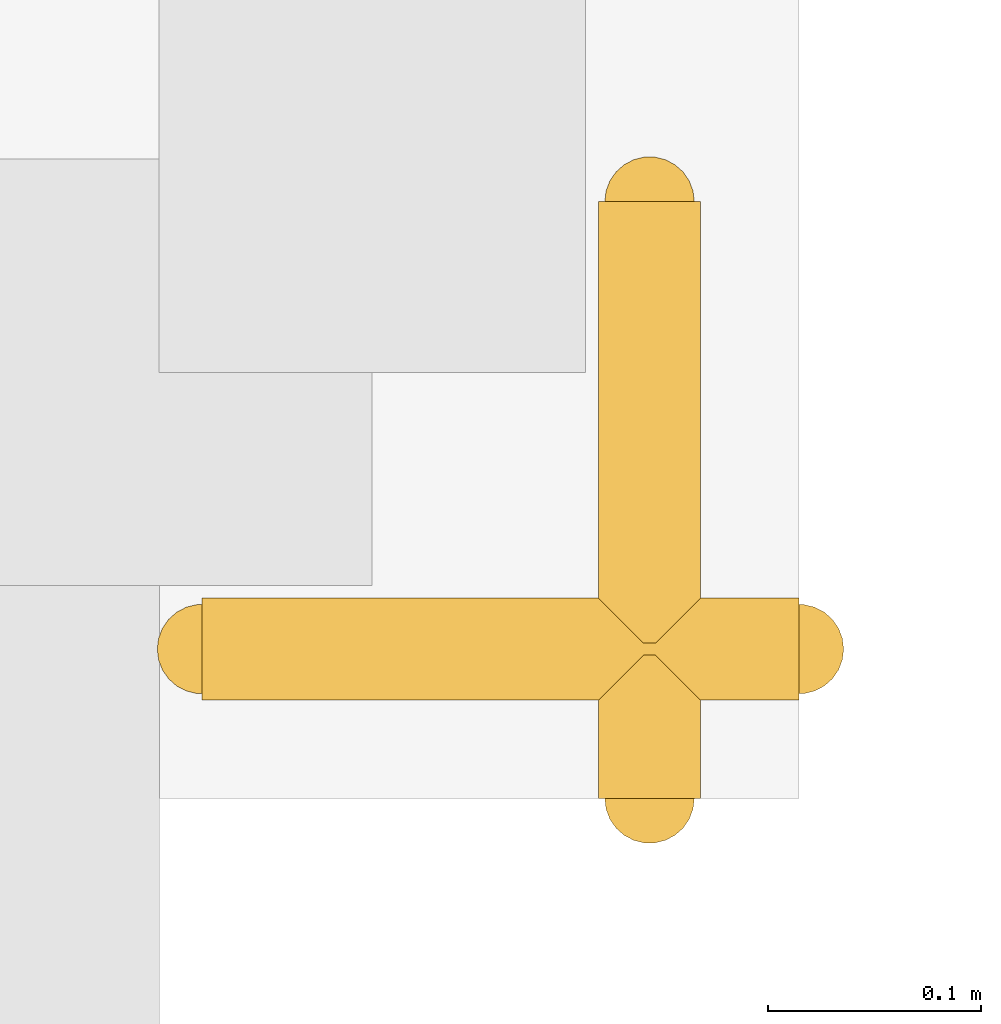
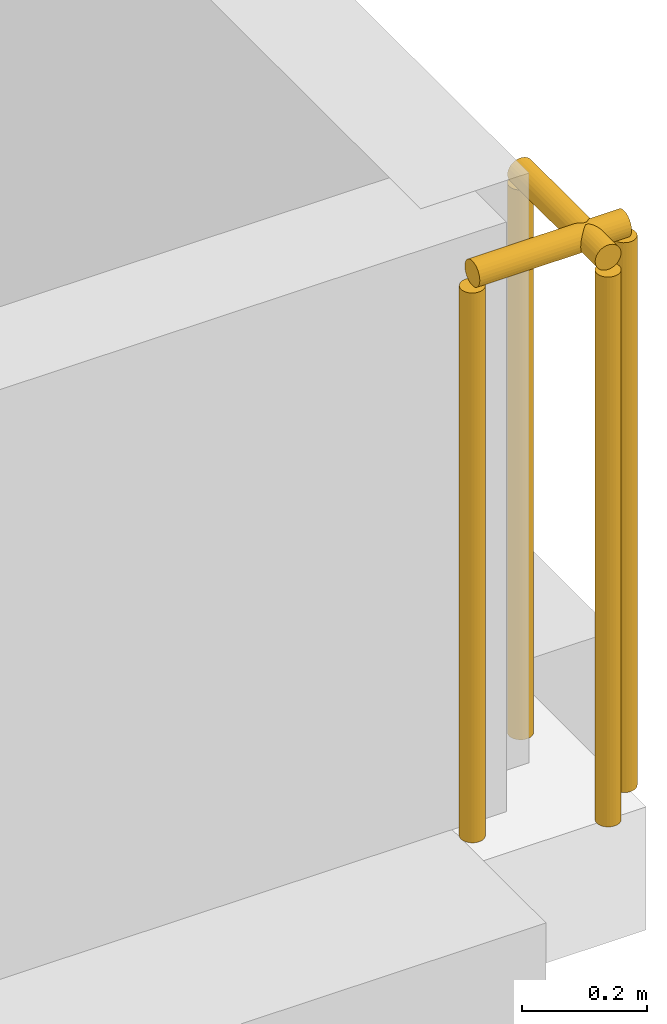
# One storey, part 70 of 71: 2 railings.
"""IFC4 building model written with IfcOpenShell, lengths in metres."""

from ifc_helpers import new_model, si_unit, direction, frame, origin, origin_2d, place, context, subcontext, project, spatial, circle, extrude, material, type_object, element, save


model = new_model("IFC4")

# Units and contexts
model_context = context("Model", 3, precision=1e-05, world=origin(), true_north=direction((0.0, 1.0)))
body_context = subcontext(model_context, "Body", "Model", "MODEL_VIEW")
ifc_project = project(units=[si_unit("LENGTHUNIT", "METRE"), si_unit("AREAUNIT", "SQUARE_METRE"), si_unit("VOLUMEUNIT", "CUBIC_METRE"), si_unit("PLANEANGLEUNIT", "RADIAN"), si_unit("MASSUNIT", "GRAM", prefix="KILO")], contexts=[model_context])

# Site, building, storey
site_placement = place(None, origin())
site = spatial("IfcSite", under=ifc_project, at=site_placement, CompositionType="ELEMENT")
building_placement = place(site_placement, origin())
building = spatial("IfcBuilding", under=site, at=building_placement, Name="Sardonyx Promenade Sports Hall", CompositionType="ELEMENT")
storey_placement = place(building_placement, frame((0.0, 0.0, 16.0)))
storey = spatial("IfcBuildingStorey", under=building, at=storey_placement, Name="L03", CompositionType="ELEMENT", Elevation=16.0)

# Railings
ifc_material = material(Name="Powder-coated Steel S355JR", Category="steel")
railing_type = type_object("IfcRailingType", Name="Rail_Int_Guard_1100", PredefinedType="GUARDRAIL", material=ifc_material)
railing_1_placement = place(storey_placement, frame((165.320068359375, 0.070068359375, 0.0)))
element("IfcRailing", 1, at=railing_1_placement, inside=storey, type_object=railing_type, Name="Deck-edge guardrail GR02 L03 #57", PredefinedType="GUARDRAIL", context=body_context, shape_type="SweptSolid", body=[
    extrude(circle(Radius=0.02392578125, at=origin_2d()), frame((0.0, 0.0, 1.09619140625), z_axis=(1.0, 0.0, 0.0), x_axis=(0.0, 1.0, 0.0)), (0.0, 0.0, 1.0), 0.280029296875),
    extrude(circle(Radius=0.02099609375, at=origin_2d()), origin(), (0.0, 0.0, 1.0), 1.072021484375),
    extrude(circle(Radius=0.02099609375, at=origin_2d()), frame((0.280029296875, 0.0, 0.0)), (0.0, 0.0, 1.0), 1.072021484375),
])
railing_2_placement = place(storey_placement, frame((165.530029296875, 0.0, 0.0)))
element("IfcRailing", 2, at=railing_2_placement, inside=storey, type_object=railing_type, Name="Deck-edge guardrail GR02 L03 #58", PredefinedType="GUARDRAIL", context=body_context, shape_type="SweptSolid", body=[
    extrude(circle(Radius=0.02392578125, at=origin_2d()), frame((0.0, 0.0, 1.09619140625), z_axis=(0.0, 1.0, 0.0), x_axis=(-1.0, 0.0, 0.0)), (0.0, 0.0, 1.0), 0.280029296875),
    extrude(circle(Radius=0.02099609375, at=origin_2d()), origin(), (0.0, 0.0, 1.0), 1.072021484375),
    extrude(circle(Radius=0.02099609375, at=origin_2d()), frame((0.0, 0.280029296875, 0.0)), (0.0, 0.0, 1.0), 1.072021484375),
])

save(model, "model.ifc")
